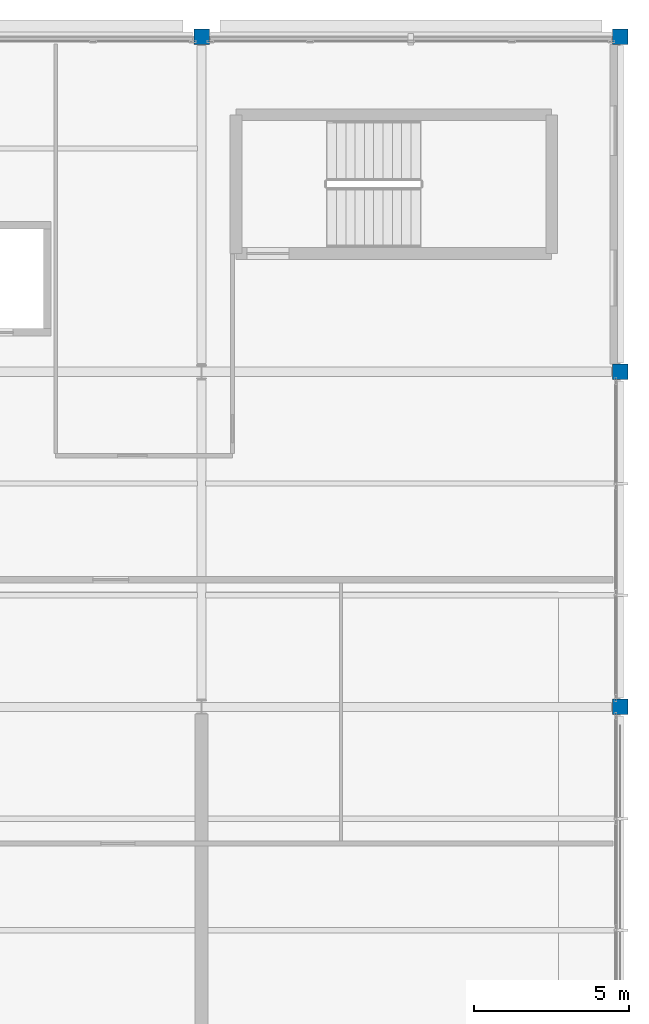
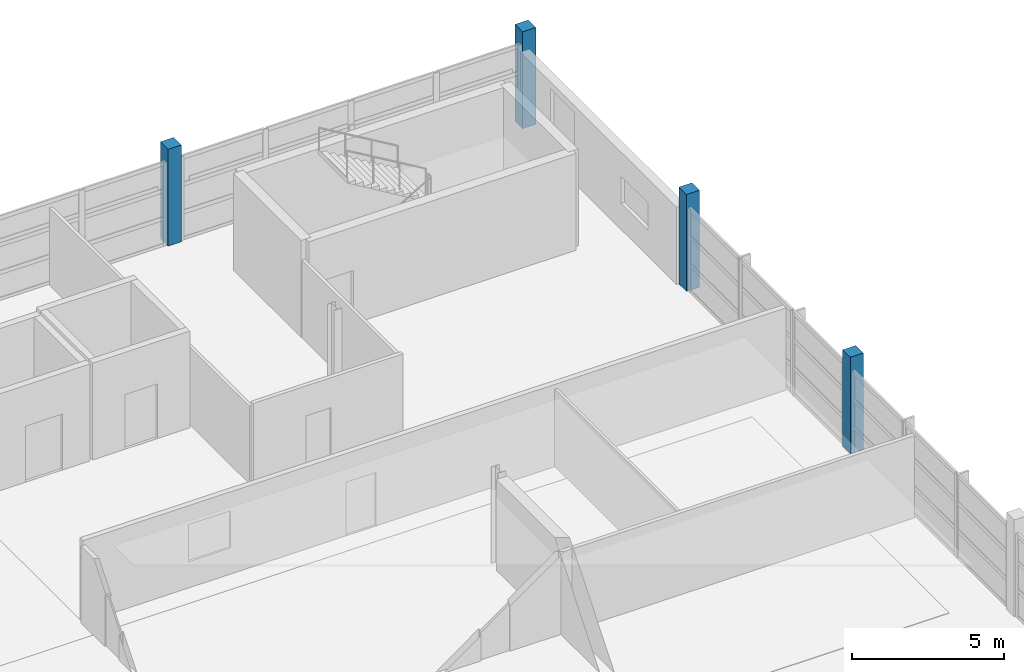
# One storey, part 9 of 110: 4 columns.
"""IFC4 building model written with IfcOpenShell, lengths in metres."""

from ifc_helpers import new_model, si_unit, direction, frame, origin, origin_2d, place, context, subcontext, project, spatial, rectangle, extrude, material, material_profile, profile_set, type_object, element, save


model = new_model("IFC4")

# Units and contexts
model_context = context("Model", 3, precision=1e-05, world=origin(), true_north=direction((0.0, 1.0)))
body_context = subcontext(model_context, "Body", "Model", "MODEL_VIEW")
ifc_project = project(units=[si_unit("LENGTHUNIT", "METRE"), si_unit("AREAUNIT", "SQUARE_METRE"), si_unit("VOLUMEUNIT", "CUBIC_METRE"), si_unit("PLANEANGLEUNIT", "RADIAN"), si_unit("MASSUNIT", "GRAM", prefix="KILO")], contexts=[model_context])

# Site, building, storey
site_placement = place(None, origin())
site = spatial("IfcSite", under=ifc_project, at=site_placement, CompositionType="ELEMENT")
building_placement = place(site_placement, origin())
building = spatial("IfcBuilding", under=site, at=building_placement, Name="Tamarisk Ironworks Central Station", CompositionType="ELEMENT")
storey_placement = place(building_placement, frame((0.0, 0.0, 17.39990234375)))
storey = spatial("IfcBuildingStorey", under=building, at=storey_placement, Name="L03", CompositionType="ELEMENT", Elevation=17.39990234375)

# Columns
ifc_material = material(Name="Concrete C50/60", Category="concrete")
ifc_material_profile = material_profile(ifc_material, rectangle(XDim=0.5, YDim=0.5, at=origin_2d()), Name="RC 500x500")
ifc_profile_set = profile_set([ifc_material_profile], Name="Concrete C50/60")
column_type = type_object("IfcColumnType", Name="COL-RC04", PredefinedType="COLUMN", material=ifc_profile_set)
for number, where, z_axis, x_axis, name in (
    (1, (166.5, 122.39990234375, 0.0), (0.0, 0.0, 1.0), (1.0, 0.0, 0.0), "L03 column V5-19N"),
    (2, (180.0, 100.800048828125, 0.0), (0.0, 0.0, 1.0), (1.0, 0.0, 0.0), "L03 column V5-20J"),
    (3, (180.0, 111.60009765625, 0.0), (0.0, 0.0, 1.0), (1.0, 0.0, 0.0), "L03 column V5-20L"),
    (4, (180.0, 122.39990234375, 0.0), (0.0, 0.0, 1.0), (1.0, 0.0, 0.0), "L03 column V5-20N"),
):
    element("IfcColumn", number, at=place(storey_placement, frame(where, z_axis=z_axis, x_axis=x_axis)), inside=storey, type_object=column_type, Name=name, PredefinedType="COLUMN", context=body_context, shape_type="SweptSolid", body=[
        extrude(rectangle(XDim=0.5, YDim=0.5, at=origin_2d()), origin(), (0.0, 0.0, 1.0), 3.900146484375),
    ])

save(model, "model.ifc")
